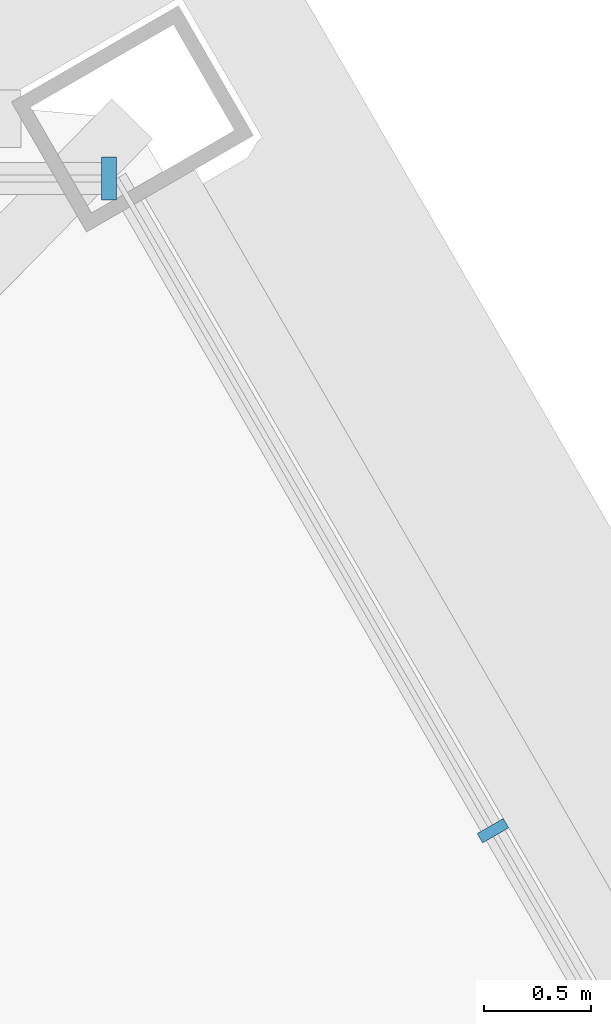
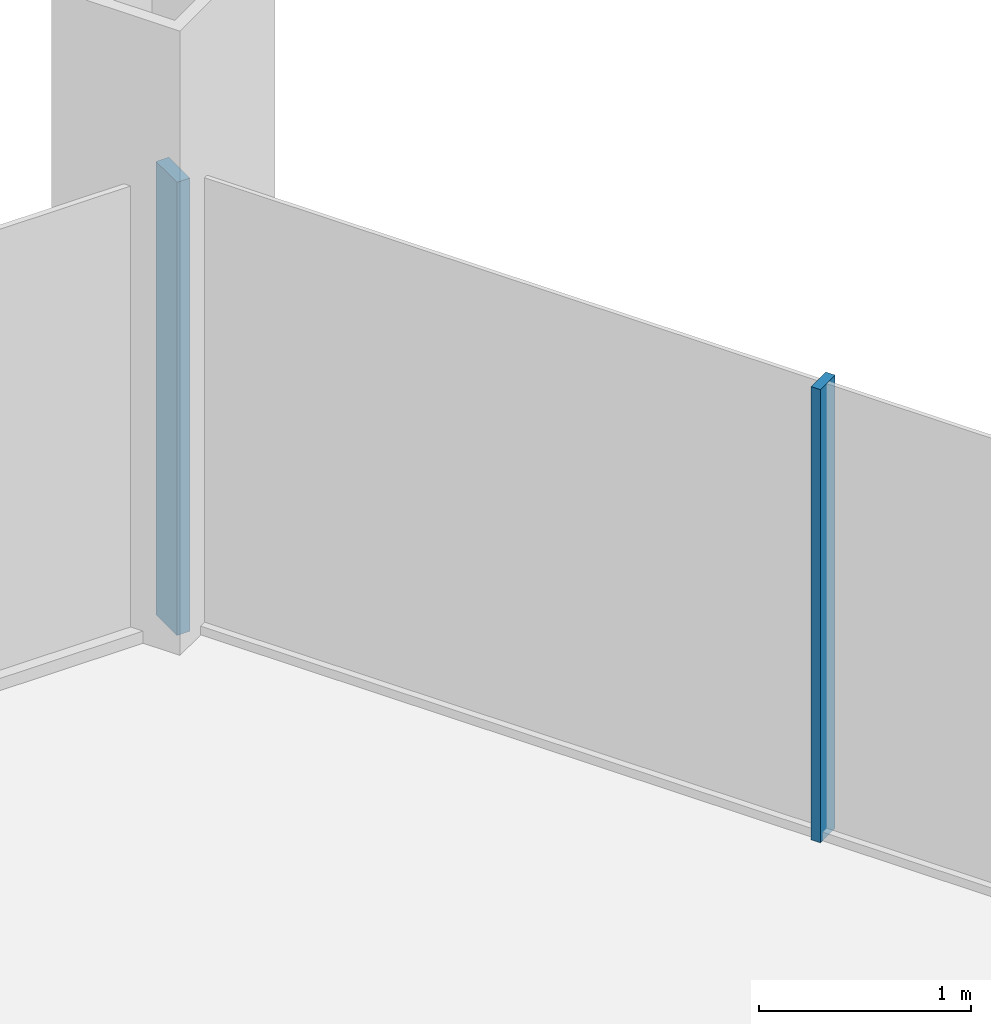
# One storey, part 9 of 17: 2 members, 2 elements without a shape of their own.
"""IFC4 building model written with IfcOpenShell, lengths in metres."""

from ifc_helpers import new_model, si_unit, direction, frame, origin, origin_2d, place, context, subcontext, project, spatial, rectangle, extrude, material, material_profile, profile_set, type_object, element, aggregate, save


model = new_model("IFC4")

# Units and contexts
model_context = context("Model", 3, precision=1e-05, world=origin(), true_north=direction((0.0, 1.0)))
body_context = subcontext(model_context, "Body", "Model", "MODEL_VIEW")
ifc_project = project(units=[si_unit("LENGTHUNIT", "METRE"), si_unit("AREAUNIT", "SQUARE_METRE"), si_unit("VOLUMEUNIT", "CUBIC_METRE"), si_unit("PLANEANGLEUNIT", "RADIAN"), si_unit("MASSUNIT", "GRAM", prefix="KILO")], contexts=[model_context])

# Site, building, storey
site_placement = place(None, origin())
site = spatial("IfcSite", under=ifc_project, at=site_placement, CompositionType="ELEMENT")
building_placement = place(site_placement, origin())
building = spatial("IfcBuilding", under=site, at=building_placement, Name="Verrane Prism Tower", CompositionType="ELEMENT")
storey_placement = place(building_placement, frame((0.0, 0.0, 51.199951171875)))
storey = spatial("IfcBuildingStorey", under=building, at=storey_placement, Name="L10", CompositionType="ELEMENT", Elevation=51.199951171875)

# Curtain wall, member
ifc_material_1 = material(Name="Aluminium framed insulated glazing", Category="aluminium")
curtain_wall_type_1 = type_object("IfcCurtainWallType", Name="Curtain wall CW-C 4200 module", PredefinedType="NOTDEFINED", material=ifc_material_1)
curtain_wall_1_placement = place(storey_placement, origin())
curtain_wall_1 = element("IfcCurtainWall", 1, at=curtain_wall_1_placement, inside=storey, type_object=curtain_wall_type_1, Name="Glazed curtain wall north-east corner L10", PredefinedType="NOTDEFINED")
ifc_material_2 = material(Name="Aluminium alloy 6063-T6", Category="aluminium")
ifc_material_profile_1 = material_profile(ifc_material_2, rectangle(XDim=0.139892578125, YDim=0.050048828125, at=origin_2d()), Name="Mullion 50x140 aluminium")
ifc_profile_set_1 = profile_set([ifc_material_profile_1], Name="Aluminium alloy 6063-T6")
member_type_1 = type_object("IfcMemberType", Name="Mullion 50x140 aluminium", PredefinedType="MULLION", material=ifc_profile_set_1)
member_1_placement = place(storey_placement, frame((27.231201171875, 17.74951171875, 0.0), z_axis=(0.0, 0.0, 1.0), x_axis=(-0.866026104978, -0.499998785495, 0.0)))
member_1 = element("IfcMember", 2, at=member_1_placement, type_object=member_type_1, Name="CW09.1 mullion 3", PredefinedType="MULLION", context=body_context, shape_type="SweptSolid", body=[
    extrude(rectangle(XDim=0.139892578125, YDim=0.050048828125, at=origin_2d()), origin(), (0.0, 0.0, 1.0), 2.613037109375),
])
aggregate(curtain_wall_1, [member_1])

ifc_material_3 = material(Name="Aluminium framed insulated glazing", Category="aluminium")
curtain_wall_type_2 = type_object("IfcCurtainWallType", Name="Curtain wall CW-A 8400 module", PredefinedType="NOTDEFINED", material=ifc_material_3)
curtain_wall_2_placement = place(storey_placement, origin())
curtain_wall_2 = element("IfcCurtainWall", 3, at=curtain_wall_2_placement, inside=storey, type_object=curtain_wall_type_2, Name="Glazed curtain wall north face L10", PredefinedType="NOTDEFINED")
ifc_material_4 = material(Name="Aluminium alloy 6063-T6", Category="aluminium")
ifc_material_profile_2 = material_profile(ifc_material_4, rectangle(XDim=0.199951171875, YDim=0.070068359375, at=origin_2d()), Name="Mullion 70x200 aluminium")
ifc_profile_set_2 = profile_set([ifc_material_profile_2], Name="Aluminium alloy 6063-T6")
member_type_2 = type_object("IfcMemberType", Name="Mullion 70x200 aluminium", PredefinedType="MULLION", material=ifc_profile_set_2)
member_2_placement = place(storey_placement, frame((25.440185546875, 20.791015625, 0.0), z_axis=(0.0, 0.0, 1.0), x_axis=(0.0, -1.0, 0.0)))
member_2 = element("IfcMember", 4, at=member_2_placement, type_object=member_type_2, Name="CW09.2 mullion 1", PredefinedType="MULLION", context=body_context, shape_type="SweptSolid", body=[
    extrude(rectangle(XDim=0.199951171875, YDim=0.070068359375, at=origin_2d()), origin(), (0.0, 0.0, 1.0), 2.613037109375),
])
aggregate(curtain_wall_2, [member_2])

save(model, "model.ifc")
